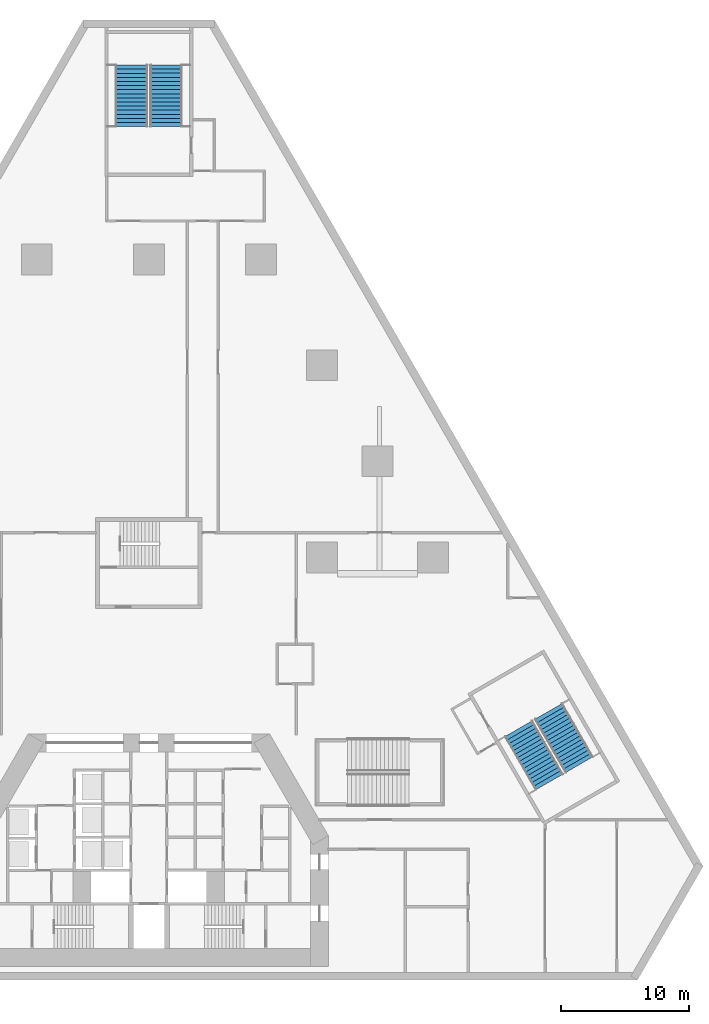
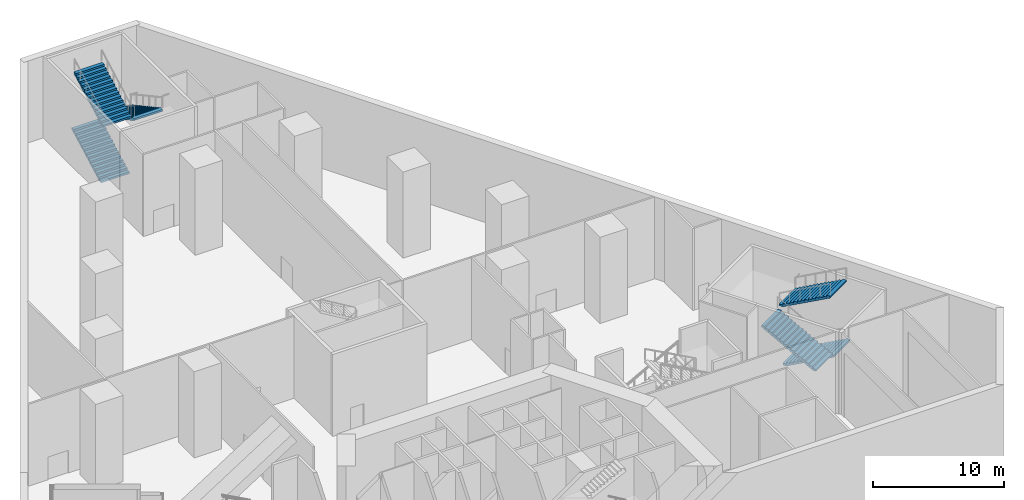
# One storey, part 8 of 11: 6 stair flights, 2 elements without a shape of their own.
"""IFC4 building model written with IfcOpenShell, lengths in metres."""

from ifc_helpers import new_model, si_unit, direction, frame, origin, place, context, subcontext, project, spatial, polyline, outline, extrude, material, type_object, element, aggregate, save


model = new_model("IFC4")

# Units and contexts
model_context = context("Model", 3, precision=1e-05, world=origin(), true_north=direction((0.0, 1.0)))
body_context = subcontext(model_context, "Body", "Model", "MODEL_VIEW")
ifc_project = project(units=[si_unit("LENGTHUNIT", "METRE"), si_unit("AREAUNIT", "SQUARE_METRE"), si_unit("VOLUMEUNIT", "CUBIC_METRE"), si_unit("PLANEANGLEUNIT", "RADIAN"), si_unit("MASSUNIT", "GRAM", prefix="KILO")], contexts=[model_context])

# Site, building, storey
site_placement = place(None, origin())
site = spatial("IfcSite", under=ifc_project, at=site_placement, CompositionType="ELEMENT")
building_placement = place(site_placement, origin())
building = spatial("IfcBuilding", under=site, at=building_placement, Name="Fogline Exchange Tower", CompositionType="ELEMENT")
storey_placement = place(building_placement, frame((0.0, 0.0, -8.0)))
storey = spatial("IfcBuildingStorey", under=building, at=storey_placement, Name="B1", CompositionType="ELEMENT", Elevation=-8.0)

# Stair, stair flights
ifc_material = material(Name="Concrete C40", Category="concrete")
stair_type = type_object("IfcStairType", Name="PSF0-46-1739", PredefinedType="HALF_TURN_STAIR", material=ifc_material)
stair_1_placement = place(storey_placement, origin())
stair_1 = element("IfcStair", 1, at=stair_1_placement, inside=storey, type_object=stair_type, Name="Stair ST5", PredefinedType="HALF_TURN_STAIR")
stair_flight_type_1 = type_object("IfcStairFlightType", Name="PSF1-15-1739", PredefinedType="STRAIGHT", material=ifc_material)
stair_flight_1_placement = place(storey_placement, frame((31.339111328125, 20.478271484375, 0.0), z_axis=(0.0, 0.0, 1.0), x_axis=(0.49997940255, -0.866037295401, 0.0)))
stair_flight_1 = element("IfcStairFlight", 2, at=stair_flight_1_placement, type_object=stair_flight_type_1, Name="ST5 flight 1", NumberOfRisers=15, NumberOfTreads=14, PredefinedType="STRAIGHT", RiserHeight=0.173913043, TreadLength=0.32, context=body_context, shape_type="SweptSolid", body=[
    extrude(outline(polyline([(0.0, 0.0), (0.0, 0.173828125), (0.320068359375, 0.173828125), (0.320068359375, 0.347900390625), (0.639892578125, 0.347900390625), (0.639892578125, 0.521728515625), (0.9599609375, 0.521728515625), (0.9599609375, 0.695556640625), (1.280029296875, 0.695556640625), (1.280029296875, 0.86962890625), (1.60009765625, 0.86962890625), (1.60009765625, 1.04345703125), (1.919921875, 1.04345703125), (1.919921875, 1.21728515625), (2.239990234375, 1.21728515625), (2.239990234375, 1.391357421875), (2.56005859375, 1.391357421875), (2.56005859375, 1.565185546875), (2.8798828125, 1.565185546875), (2.8798828125, 1.739013671875), (3.199951171875, 1.739013671875), (3.199951171875, 1.9130859375), (3.52001953125, 1.9130859375), (3.52001953125, 2.0869140625), (3.840087890625, 2.0869140625), (3.840087890625, 2.260986328125), (4.159912109375, 2.260986328125), (4.159912109375, 2.434814453125), (4.47998046875, 2.434814453125), (4.47998046875, 2.608642578125), (4.47998046875, 2.26416015625), (0.31396484375, 0.0), (0.0, 0.0)])), frame((0.0, 1.25, 0.0), z_axis=(0.0, -1.0, 0.0), x_axis=(1.0, 0.0, 0.0)), (0.0, 0.0, 1.0), 2.5),
])
stair_flight_2_placement = place(storey_placement, frame((31.17919921875, 20.75537109375, 5.391357421875), z_axis=(0.0, 0.0, 1.0), x_axis=(0.49997940255, -0.866037295401, 0.0)))
stair_flight_2 = element("IfcStairFlight", 3, at=stair_flight_2_placement, type_object=stair_flight_type_1, Name="ST5 flight 3", NumberOfRisers=15, NumberOfTreads=14, PredefinedType="STRAIGHT", RiserHeight=0.173913043, TreadLength=0.32, context=body_context, shape_type="SweptSolid", body=[
    extrude(outline(polyline([(0.0, 0.0), (0.0, 0.173828125), (0.320068359375, 0.173828125), (0.320068359375, 0.347900390625), (0.639892578125, 0.347900390625), (0.639892578125, 0.521728515625), (0.9599609375, 0.521728515625), (0.9599609375, 0.695556640625), (1.280029296875, 0.695556640625), (1.280029296875, 0.86962890625), (1.60009765625, 0.86962890625), (1.60009765625, 1.04345703125), (1.919921875, 1.04345703125), (1.919921875, 1.21728515625), (2.239990234375, 1.21728515625), (2.239990234375, 1.391357421875), (2.56005859375, 1.391357421875), (2.56005859375, 1.565185546875), (2.8798828125, 1.565185546875), (2.8798828125, 1.739013671875), (3.199951171875, 1.739013671875), (3.199951171875, 1.9130859375), (3.52001953125, 1.9130859375), (3.52001953125, 2.0869140625), (3.840087890625, 2.0869140625), (3.840087890625, 2.260986328125), (4.159912109375, 2.260986328125), (4.159912109375, 2.434814453125), (4.47998046875, 2.434814453125), (4.47998046875, 2.608642578125), (4.47998046875, 2.26416015625), (0.31396484375, 0.0), (0.0, 0.0)])), frame((0.0, 1.25, 0.0), z_axis=(0.0, -1.0, 0.0), x_axis=(1.0, 0.0, 0.0)), (0.0, 0.0, 1.0), 2.5),
])

stair_2_placement = place(storey_placement, origin())
stair_2 = element("IfcStair", 4, at=stair_2_placement, inside=storey, type_object=stair_type, Name="Stair ST6", PredefinedType="HALF_TURN_STAIR")
stair_flight_3_placement = place(storey_placement, frame((-1.35009765625, 66.68505859375, 0.0), z_axis=(0.0, 0.0, 1.0), x_axis=(0.0, 1.0, 0.0)))
stair_flight_3 = element("IfcStairFlight", 5, at=stair_flight_3_placement, type_object=stair_flight_type_1, Name="ST6 flight 1", NumberOfRisers=15, NumberOfTreads=14, PredefinedType="STRAIGHT", RiserHeight=0.173913043, TreadLength=0.32, context=body_context, shape_type="SweptSolid", body=[
    extrude(outline(polyline([(0.0, 0.0), (0.0, 0.173828125), (0.320068359375, 0.173828125), (0.320068359375, 0.347900390625), (0.639892578125, 0.347900390625), (0.639892578125, 0.521728515625), (0.9599609375, 0.521728515625), (0.9599609375, 0.695556640625), (1.280029296875, 0.695556640625), (1.280029296875, 0.86962890625), (1.60009765625, 0.86962890625), (1.60009765625, 1.04345703125), (1.919921875, 1.04345703125), (1.919921875, 1.21728515625), (2.239990234375, 1.21728515625), (2.239990234375, 1.391357421875), (2.56005859375, 1.391357421875), (2.56005859375, 1.565185546875), (2.8798828125, 1.565185546875), (2.8798828125, 1.739013671875), (3.199951171875, 1.739013671875), (3.199951171875, 1.9130859375), (3.52001953125, 1.9130859375), (3.52001953125, 2.0869140625), (3.840087890625, 2.0869140625), (3.840087890625, 2.260986328125), (4.159912109375, 2.260986328125), (4.159912109375, 2.434814453125), (4.47998046875, 2.434814453125), (4.47998046875, 2.608642578125), (4.47998046875, 2.26416015625), (0.31396484375, 0.0), (0.0, 0.0)])), frame((0.0, 1.25, 0.0), z_axis=(0.0, -1.0, 0.0), x_axis=(1.0, 0.0, 0.0)), (0.0, 0.0, 1.0), 2.5),
])
stair_flight_4_placement = place(storey_placement, frame((-1.35009765625, 66.364990234375, 5.391357421875), z_axis=(0.0, 0.0, 1.0), x_axis=(0.0, 1.0, 0.0)))
stair_flight_4 = element("IfcStairFlight", 6, at=stair_flight_4_placement, type_object=stair_flight_type_1, Name="ST6 flight 3", NumberOfRisers=15, NumberOfTreads=14, PredefinedType="STRAIGHT", RiserHeight=0.173913043, TreadLength=0.32, context=body_context, shape_type="SweptSolid", body=[
    extrude(outline(polyline([(0.0, 0.0), (0.0, 0.173828125), (0.320068359375, 0.173828125), (0.320068359375, 0.347900390625), (0.639892578125, 0.347900390625), (0.639892578125, 0.521728515625), (0.9599609375, 0.521728515625), (0.9599609375, 0.695556640625), (1.280029296875, 0.695556640625), (1.280029296875, 0.86962890625), (1.60009765625, 0.86962890625), (1.60009765625, 1.04345703125), (1.919921875, 1.04345703125), (1.919921875, 1.21728515625), (2.239990234375, 1.21728515625), (2.239990234375, 1.391357421875), (2.56005859375, 1.391357421875), (2.56005859375, 1.565185546875), (2.8798828125, 1.565185546875), (2.8798828125, 1.739013671875), (3.199951171875, 1.739013671875), (3.199951171875, 1.9130859375), (3.52001953125, 1.9130859375), (3.52001953125, 2.0869140625), (3.840087890625, 2.0869140625), (3.840087890625, 2.260986328125), (4.159912109375, 2.260986328125), (4.159912109375, 2.434814453125), (4.47998046875, 2.434814453125), (4.47998046875, 2.608642578125), (4.47998046875, 2.26416015625), (0.31396484375, 0.0), (0.0, 0.0)])), frame((0.0, 1.25, 0.0), z_axis=(0.0, -1.0, 0.0), x_axis=(1.0, 0.0, 0.0)), (0.0, 0.0, 1.0), 2.5),
])

# Stair flight
stair_flight_type_2 = type_object("IfcStairFlightType", Name="PSF1-16-1739", PredefinedType="STRAIGHT", material=ifc_material)
stair_flight_5_placement = place(storey_placement, frame((31.24072265625, 15.24853515625, 2.608642578125), z_axis=(0.0, 0.0, 1.0), x_axis=(-0.49997940255, 0.866037295401, 0.0)))
stair_flight_5 = element("IfcStairFlight", 7, at=stair_flight_5_placement, type_object=stair_flight_type_2, Name="ST5 flight 2", NumberOfRisers=16, NumberOfTreads=15, PredefinedType="STRAIGHT", RiserHeight=0.173913043, TreadLength=0.32, context=body_context, shape_type="SweptSolid", body=[
    extrude(outline(polyline([(0.0, 0.0), (0.0, 0.173828125), (0.320068359375, 0.173828125), (0.320068359375, 0.347900390625), (0.639892578125, 0.347900390625), (0.639892578125, 0.521728515625), (0.9599609375, 0.521728515625), (0.9599609375, 0.695556640625), (1.280029296875, 0.695556640625), (1.280029296875, 0.86962890625), (1.60009765625, 0.86962890625), (1.60009765625, 1.04345703125), (1.919921875, 1.04345703125), (1.919921875, 1.21728515625), (2.239990234375, 1.21728515625), (2.239990234375, 1.391357421875), (2.56005859375, 1.391357421875), (2.56005859375, 1.565185546875), (2.8798828125, 1.565185546875), (2.8798828125, 1.739013671875), (3.199951171875, 1.739013671875), (3.199951171875, 1.9130859375), (3.52001953125, 1.9130859375), (3.52001953125, 2.0869140625), (3.840087890625, 2.0869140625), (3.840087890625, 2.260986328125), (4.159912109375, 2.260986328125), (4.159912109375, 2.434814453125), (4.47998046875, 2.434814453125), (4.47998046875, 2.608642578125), (4.800048828125, 2.608642578125), (4.800048828125, 2.78271484375), (4.800048828125, 2.43798828125), (0.31396484375, 0.0), (0.0, 0.0)])), frame((0.0, 1.25, 0.0), z_axis=(0.0, -1.0, 0.0), x_axis=(1.0, 0.0, 0.0)), (0.0, 0.0, 1.0), 2.5),
])

aggregate(stair_1, [stair_flight_1, stair_flight_5, stair_flight_2])

stair_flight_6_placement = place(storey_placement, frame((1.35009765625, 71.1650390625, 2.608642578125), z_axis=(0.0, 0.0, 1.0), x_axis=(0.0, -1.0, 0.0)))
stair_flight_6 = element("IfcStairFlight", 8, at=stair_flight_6_placement, type_object=stair_flight_type_2, Name="ST6 flight 2", NumberOfRisers=16, NumberOfTreads=15, PredefinedType="STRAIGHT", RiserHeight=0.173913043, TreadLength=0.32, context=body_context, shape_type="SweptSolid", body=[
    extrude(outline(polyline([(0.0, 0.0), (0.0, 0.173828125), (0.320068359375, 0.173828125), (0.320068359375, 0.347900390625), (0.639892578125, 0.347900390625), (0.639892578125, 0.521728515625), (0.9599609375, 0.521728515625), (0.9599609375, 0.695556640625), (1.280029296875, 0.695556640625), (1.280029296875, 0.86962890625), (1.60009765625, 0.86962890625), (1.60009765625, 1.04345703125), (1.919921875, 1.04345703125), (1.919921875, 1.21728515625), (2.239990234375, 1.21728515625), (2.239990234375, 1.391357421875), (2.56005859375, 1.391357421875), (2.56005859375, 1.565185546875), (2.8798828125, 1.565185546875), (2.8798828125, 1.739013671875), (3.199951171875, 1.739013671875), (3.199951171875, 1.9130859375), (3.52001953125, 1.9130859375), (3.52001953125, 2.0869140625), (3.840087890625, 2.0869140625), (3.840087890625, 2.260986328125), (4.159912109375, 2.260986328125), (4.159912109375, 2.434814453125), (4.47998046875, 2.434814453125), (4.47998046875, 2.608642578125), (4.800048828125, 2.608642578125), (4.800048828125, 2.78271484375), (4.800048828125, 2.43798828125), (0.31396484375, 0.0), (0.0, 0.0)])), frame((0.0, 1.25, 0.0), z_axis=(0.0, -1.0, 0.0), x_axis=(1.0, 0.0, 0.0)), (0.0, 0.0, 1.0), 2.5),
])

aggregate(stair_2, [stair_flight_3, stair_flight_6, stair_flight_4])

save(model, "model.ifc")
